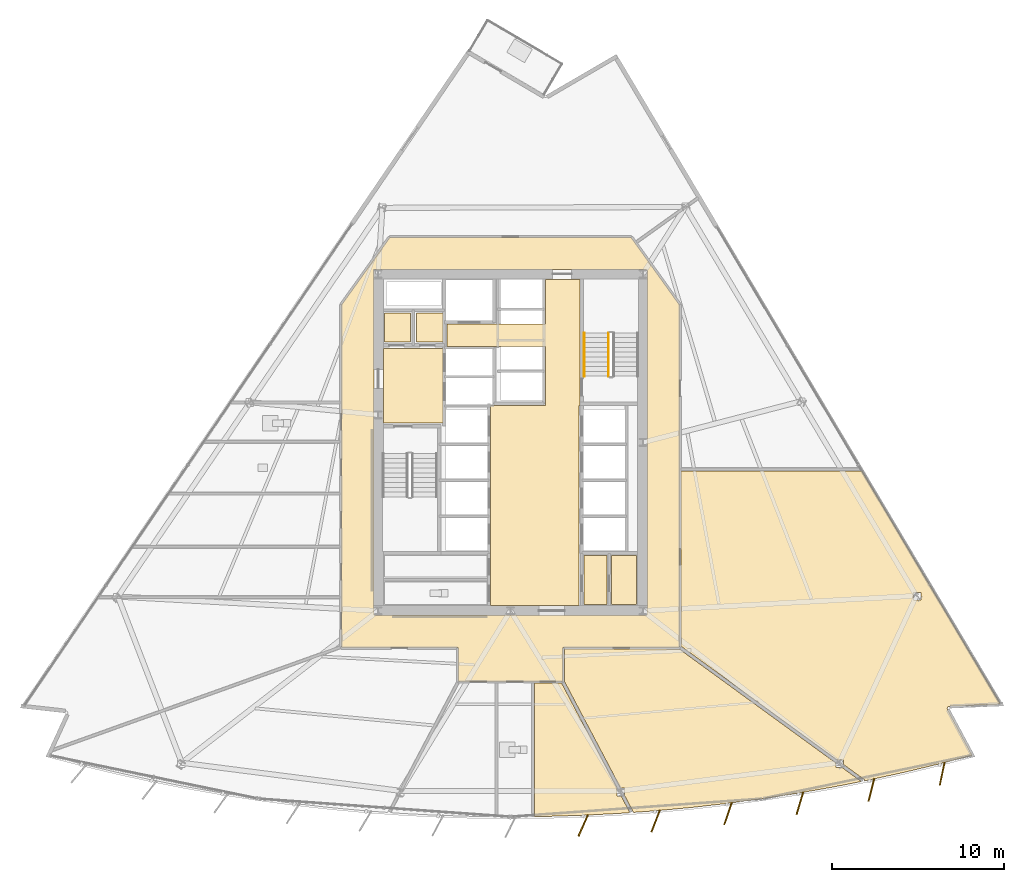
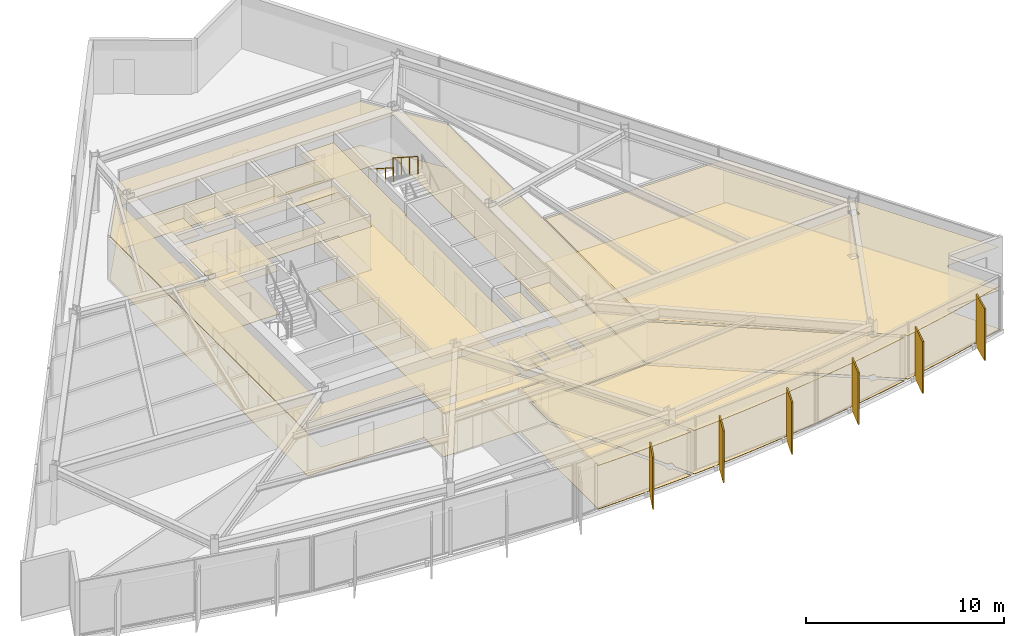
# One storey, part 12 of 15: 20 coverings, 6 shading devices, 2 railings.
"""IFC4 building model written with IfcOpenShell, lengths in metres."""

from ifc_helpers import new_model, si_unit, direction, frame, origin, origin_2d, place, context, subcontext, project, spatial, polyline, rectangle, circle, outline, extrude, material, layer, layer_set, type_object, element, save


model = new_model("IFC4")

# Units and contexts
model_context = context("Model", 3, precision=1e-05, world=origin(), true_north=direction((0.0, 1.0)))
body_context = subcontext(model_context, "Body", "Model", "MODEL_VIEW")
ifc_project = project(units=[si_unit("LENGTHUNIT", "METRE"), si_unit("AREAUNIT", "SQUARE_METRE"), si_unit("VOLUMEUNIT", "CUBIC_METRE"), si_unit("PLANEANGLEUNIT", "RADIAN"), si_unit("MASSUNIT", "GRAM", prefix="KILO")], contexts=[model_context])

# Site, building, storey
site_placement = place(None, origin())
site = spatial("IfcSite", under=ifc_project, at=site_placement, CompositionType="ELEMENT")
building_placement = place(site_placement, origin())
building = spatial("IfcBuilding", under=site, at=building_placement, Name="Savorim Split Tower", CompositionType="ELEMENT")
storey_placement = place(building_placement, frame((0.0, 0.0, 86.10009765625)))
storey = spatial("IfcBuildingStorey", under=building, at=storey_placement, Name="L22", CompositionType="ELEMENT", Elevation=86.10009765625)

# Coverings
ifc_material_1 = material(Name="Mineral Fibre Acoustic Ceiling")
ifc_layer_1 = layer(ifc_material_1, 0.02490234375)
ifc_layer_set_1 = layer_set([ifc_layer_1], Name="COV-CEIL-25")
covering_type_1 = type_object("IfcCoveringType", Name="COV-CEIL-25", PredefinedType="CEILING", material=ifc_layer_set_1)
covering_1_placement = place(storey_placement, frame((0.0, 0.0, 2.669921875)))
element("IfcCovering", 1, at=covering_1_placement, inside=storey, type_object=covering_type_1, Name="L22 Firefighting Lift Lobby Acoustic Ceiling", PredefinedType="CEILING", context=body_context, shape_type="SweptSolid", body=[
    extrude(outline(polyline([(-7.3798828125, 5.8701171875), (-7.3798828125, 1.530029296875), (-3.929931640625, 1.530029296875), (-3.929931640625, 5.8701171875), (-7.3798828125, 5.8701171875)])), origin(), (0.0, 0.0, 1.0), 0.02490234375),
])
covering_2_placement = place(storey_placement, frame((0.0, 0.0, 2.669921875)))
element("IfcCovering", 2, at=covering_2_placement, inside=storey, type_object=covering_type_1, Name="L22 Electrical Riser Acoustic Ceiling", PredefinedType="CEILING", context=body_context, shape_type="SweptSolid", body=[
    extrude(outline(polyline([(-7.320068359375, 7.919921875), (-7.320068359375, 6.22998046875), (-5.830078125, 6.22998046875), (-5.830078125, 7.919921875), (-7.320068359375, 7.919921875)])), origin(), (0.0, 0.0, 1.0), 0.02490234375),
])
covering_3_placement = place(storey_placement, frame((0.0, 0.0, 2.669921875)))
element("IfcCovering", 3, at=covering_3_placement, inside=storey, type_object=covering_type_1, Name="L22 Telecom Riser Acoustic Ceiling", PredefinedType="CEILING", context=body_context, shape_type="SweptSolid", body=[
    extrude(outline(polyline([(-5.469970703125, 7.919921875), (-5.469970703125, 6.22998046875), (-3.929931640625, 6.22998046875), (-3.929931640625, 7.919921875), (-5.469970703125, 7.919921875)])), origin(), (0.0, 0.0, 1.0), 0.02490234375),
])
covering_4_placement = place(storey_placement, frame((0.0, 0.0, 2.669921875)))
element("IfcCovering", 4, at=covering_4_placement, inside=storey, type_object=covering_type_1, Name="L22 Lift Lobby Acoustic Ceiling", PredefinedType="CEILING", context=body_context, shape_type="SweptSolid", body=[
    extrude(outline(polyline([(2.050048828125, 2.550048828125), (-1.14990234375, 2.550048828125), (-1.14990234375, -9.10009765625), (4.0, -9.10009765625), (4.0, 2.550048828125), (4.050048828125, 2.550048828125), (4.050048828125, 5.97998046875), (4.050048828125, 7.300048828125), (4.050048828125, 9.8798828125), (2.050048828125, 9.8798828125), (2.050048828125, 7.300048828125), (-3.699951171875, 7.300048828125), (-3.699951171875, 5.97998046875), (2.050048828125, 5.97998046875), (2.050048828125, 2.550048828125)])), origin(), (0.0, 0.0, 1.0), 0.02490234375),
])
covering_5_placement = place(storey_placement, frame((0.0, 0.0, 2.669921875)))
element("IfcCovering", 5, at=covering_5_placement, inside=storey, type_object=covering_type_1, Name="L22 Vending Pantry Acoustic Ceiling", PredefinedType="CEILING", context=body_context, shape_type="SweptSolid", body=[
    extrude(outline(polyline([(4.280029296875, -6.179931640625), (4.280029296875, -9.02001953125), (5.6201171875, -9.02001953125), (5.6201171875, -6.179931640625), (4.280029296875, -6.179931640625)])), origin(), (0.0, 0.0, 1.0), 0.02490234375),
])
covering_6_placement = place(storey_placement, frame((0.0, 0.0, 2.669921875)))
element("IfcCovering", 6, at=covering_6_placement, inside=storey, type_object=covering_type_1, Name="L22 Recycling Chute Room Acoustic Ceiling", PredefinedType="CEILING", context=body_context, shape_type="SweptSolid", body=[
    extrude(outline(polyline([(5.8798828125, -6.179931640625), (5.8798828125, -9.02001953125), (7.320068359375, -9.02001953125), (7.320068359375, -6.179931640625), (5.8798828125, -6.179931640625)])), origin(), (0.0, 0.0, 1.0), 0.02490234375),
])
covering_7_placement = place(storey_placement, frame((0.0, 0.0, 2.669921875)))
element("IfcCovering", 7, at=covering_7_placement, inside=storey, type_object=covering_type_1, Name="L22 Corridor Acoustic Ceiling", PredefinedType="CEILING", context=body_context, shape_type="SweptSolid", body=[
    extrude(outline(polyline([(7.009521484375, 12.3291015625), (7.004638671875, 12.329833984375), (7.0, 12.330078125), (-7.0, 12.330078125), (-7.004638671875, 12.329833984375), (-7.009521484375, 12.3291015625), (-7.013916015625, 12.327880859375), (-7.0185546875, 12.326416015625), (-7.022705078125, 12.324462890625), (-7.027099609375, 12.322021484375), (-7.03076171875, 12.3193359375), (-7.034423828125, 12.31640625), (-7.03759765625, 12.312744140625), (-7.04052734375, 12.30908203125), (-9.820556640625, 8.42919921875), (-9.823486328125, 8.4248046875), (-9.82568359375, 8.420166015625), (-9.82763671875, 8.415283203125), (-9.828857421875, 8.410400390625), (-9.82958984375, 8.4052734375), (-9.830078125, 8.39990234375), (-9.830078125, -11.47998046875), (-9.829833984375, -11.48486328125), (-9.8291015625, -11.48974609375), (-9.827880859375, -11.494384765625), (-9.826171875, -11.4990234375), (-9.82421875, -11.503662109375), (-9.821533203125, -11.5078125), (-9.818603515625, -11.51171875), (-9.8154296875, -11.515380859375), (-9.811767578125, -11.518798828125), (-9.807861328125, -11.521484375), (-9.8037109375, -11.524169921875), (-9.799072265625, -11.526123046875), (-9.79443359375, -11.52783203125), (-9.789794921875, -11.529052734375), (-9.784912109375, -11.52978515625), (-9.780029296875, -11.530029296875), (-3.050048828125, -11.530029296875), (-3.050048828125, -13.449951171875), (-3.0498046875, -13.454833984375), (-3.049072265625, -13.459716796875), (-3.0478515625, -13.464599609375), (-3.046142578125, -13.468994140625), (-3.044189453125, -13.4736328125), (-3.04150390625, -13.477783203125), (-3.038818359375, -13.481689453125), (-3.035400390625, -13.4853515625), (-3.03173828125, -13.48876953125), (-3.02783203125, -13.49169921875), (-3.023681640625, -13.494140625), (-3.01904296875, -13.49609375), (-3.014404296875, -13.497802734375), (-3.009765625, -13.4990234375), (-3.0048828125, -13.499755859375), (-3.0, -13.5), (3.0, -13.5), (3.0048828125, -13.499755859375), (3.009765625, -13.4990234375), (3.014404296875, -13.497802734375), (3.01904296875, -13.49609375), (3.023681640625, -13.494140625), (3.02783203125, -13.49169921875), (3.03173828125, -13.48876953125), (3.035400390625, -13.4853515625), (3.038818359375, -13.481689453125), (3.04150390625, -13.477783203125), (3.044189453125, -13.4736328125), (3.046142578125, -13.468994140625), (3.0478515625, -13.464599609375), (3.049072265625, -13.459716796875), (3.0498046875, -13.454833984375), (3.050048828125, -13.449951171875), (3.050048828125, -11.530029296875), (9.780029296875, -11.530029296875), (9.784912109375, -11.52978515625), (9.789794921875, -11.529052734375), (9.79443359375, -11.52783203125), (9.799072265625, -11.526123046875), (9.8037109375, -11.524169921875), (9.807861328125, -11.521484375), (9.811767578125, -11.518798828125), (9.8154296875, -11.515380859375), (9.818603515625, -11.51171875), (9.821533203125, -11.5078125), (9.82421875, -11.503662109375), (9.826171875, -11.4990234375), (9.827880859375, -11.494384765625), (9.8291015625, -11.48974609375), (9.829833984375, -11.48486328125), (9.830078125, -11.47998046875), (9.830078125, 8.39990234375), (9.82958984375, 8.4052734375), (9.828857421875, 8.410400390625), (9.82763671875, 8.415283203125), (9.82568359375, 8.420166015625), (9.823486328125, 8.4248046875), (9.820556640625, 8.42919921875), (7.04052734375, 12.30908203125), (7.03759765625, 12.312744140625), (7.034423828125, 12.31640625), (7.03076171875, 12.3193359375), (7.027099609375, 12.322021484375), (7.022705078125, 12.324462890625), (7.0185546875, 12.326416015625), (7.013916015625, 12.327880859375), (7.009521484375, 12.3291015625)]), holes=[polyline([(-7.949951171875, 10.449951171875), (-7.949951171875, -9.64990234375), (7.949951171875, -9.64990234375), (7.949951171875, 10.449951171875), (-7.949951171875, 10.449951171875)])]), origin(), (0.0, 0.0, 1.0), 0.02490234375),
])
covering_8_placement = place(storey_placement, frame((0.0, 0.0, 2.669921875)))
element("IfcCovering", 8, at=covering_8_placement, inside=storey, type_object=covering_type_1, Name="L22 Co-Living Bedroom Acoustic Ceiling", PredefinedType="CEILING", context=body_context, shape_type="SweptSolid", body=[
    extrude(outline(polyline([(1.406494140625, -21.366455078125), (2.101806640625, -21.359375), (4.202880859375, -21.294921875), (6.302001953125, -21.187255859375), (6.949462890625, -21.140869140625), (6.430908203125, -20.15771484375), (6.20654296875, -20.15771484375), (6.20654296875, -19.73193359375), (2.98193359375, -13.61767578125), (2.96728515625, -13.590087890625), (1.406494140625, -13.590087890625), (1.406494140625, -21.366455078125)])), origin(), (0.0, 0.0, 1.0), 0.02490234375),
])
covering_9_placement = place(storey_placement, frame((0.0, 0.0, 2.669921875)))
element("IfcCovering", 9, at=covering_9_placement, inside=storey, type_object=covering_type_1, Name="L22 Co-Working Commons Acoustic Ceiling", PredefinedType="CEILING", context=body_context, shape_type="SweptSolid", body=[
    extrude(outline(polyline([(12.58056640625, -20.607421875), (14.6640625, -20.32861328125), (16.7412109375, -20.00732421875), (18.8115234375, -19.6435546875), (20.41064453125, -19.32861328125), (19.302490234375, -18.522216796875), (18.94384765625, -18.522216796875), (18.94384765625, -18.260986328125), (9.840087890625, -11.634521484375), (9.814208984375, -11.615478515625), (9.807373046875, -11.6171875), (9.793701171875, -11.619384765625), (9.780029296875, -11.6201171875), (3.139892578125, -11.6201171875), (3.139892578125, -13.449951171875), (3.139404296875, -13.463623046875), (3.13720703125, -13.477294921875), (3.134033203125, -13.490478515625), (3.132080078125, -13.49560546875), (6.4111328125, -19.712646484375), (6.635498046875, -19.712646484375), (6.635498046875, -20.13818359375), (7.111572265625, -21.040771484375), (7.15576171875, -21.124755859375), (7.153076171875, -21.126220703125), (8.398681640625, -21.036865234375), (10.49169921875, -20.843505859375), (12.58056640625, -20.607421875)])), origin(), (0.0, 0.0, 1.0), 0.02490234375),
])
covering_10_placement = place(storey_placement, frame((0.0, 0.0, 2.669921875)))
element("IfcCovering", 10, at=covering_10_placement, inside=storey, type_object=covering_type_1, Name="L22 Maker Workshop Acoustic Ceiling", PredefinedType="CEILING", context=body_context, shape_type="SweptSolid", body=[
    extrude(outline(polyline([(25.5009765625, -14.956298828125), (25.51220703125, -14.9541015625), (25.523681640625, -14.952880859375), (28.506591796875, -14.826171875), (20.438720703125, -1.258056640625), (9.919921875, -1.258056640625), (9.919921875, -11.45751953125), (19.01416015625, -18.0771484375), (19.372802734375, -18.0771484375), (19.372802734375, -18.33837890625), (20.53857421875, -19.186767578125), (20.615234375, -19.24267578125), (20.576416015625, -19.296142578125), (20.873779296875, -19.237548828125), (22.927490234375, -18.789306640625), (24.9716796875, -18.29931640625), (26.85888671875, -17.8056640625), (25.423095703125, -15.129638671875), (25.418212890625, -15.119140625), (25.414306640625, -15.1083984375), (25.411376953125, -15.09716796875), (25.409423828125, -15.085693359375), (25.40869140625, -15.07421875), (25.4091796875, -15.062744140625), (25.410888671875, -15.05126953125), (25.413330078125, -15.0400390625), (25.4169921875, -15.029052734375), (25.421875, -15.0185546875), (25.427490234375, -15.008544921875), (25.43408203125, -14.9990234375), (25.441650390625, -14.990478515625), (25.449951171875, -14.982421875), (25.458984375, -14.97509765625), (25.46875, -14.968994140625), (25.47900390625, -14.963623046875), (25.48974609375, -14.95947265625), (25.5009765625, -14.956298828125)]), holes=[polyline([(23.876708984375, -8.783203125), (23.876708984375, -8.338134765625), (23.447509765625, -8.338134765625), (23.447509765625, -8.783203125), (23.876708984375, -8.783203125)])]), origin(), (0.0, 0.0, 1.0), 0.02490234375),
])
ifc_material_2 = material(Name="Porcelain Stoneware Flooring", Category="masonry")
ifc_layer_2 = layer(ifc_material_2, 0.02001953125)
ifc_layer_set_2 = layer_set([ifc_layer_2], Name="COV-FLOR-20")
covering_type_2 = type_object("IfcCoveringType", Name="COV-FLOR-20", PredefinedType="FLOORING", material=ifc_layer_set_2)
covering_11_placement = place(storey_placement, origin())
element("IfcCovering", 11, at=covering_11_placement, inside=storey, type_object=covering_type_2, Name="L22 Firefighting Lift Lobby Porcelain Flooring", PredefinedType="FLOORING", context=body_context, shape_type="SweptSolid", body=[
    extrude(outline(polyline([(-7.3798828125, 5.8701171875), (-7.3798828125, 1.530029296875), (-3.929931640625, 1.530029296875), (-3.929931640625, 5.8701171875), (-7.3798828125, 5.8701171875)])), origin(), (0.0, 0.0, 1.0), 0.02001953125),
])
covering_12_placement = place(storey_placement, origin())
element("IfcCovering", 12, at=covering_12_placement, inside=storey, type_object=covering_type_2, Name="L22 Electrical Riser Porcelain Flooring", PredefinedType="FLOORING", context=body_context, shape_type="SweptSolid", body=[
    extrude(outline(polyline([(-7.320068359375, 7.919921875), (-7.320068359375, 6.22998046875), (-5.830078125, 6.22998046875), (-5.830078125, 7.919921875), (-7.320068359375, 7.919921875)])), origin(), (0.0, 0.0, 1.0), 0.02001953125),
])
covering_13_placement = place(storey_placement, origin())
element("IfcCovering", 13, at=covering_13_placement, inside=storey, type_object=covering_type_2, Name="L22 Telecom Riser Porcelain Flooring", PredefinedType="FLOORING", context=body_context, shape_type="SweptSolid", body=[
    extrude(outline(polyline([(-5.469970703125, 7.919921875), (-5.469970703125, 6.22998046875), (-3.929931640625, 6.22998046875), (-3.929931640625, 7.919921875), (-5.469970703125, 7.919921875)])), origin(), (0.0, 0.0, 1.0), 0.02001953125),
])
covering_14_placement = place(storey_placement, origin())
element("IfcCovering", 14, at=covering_14_placement, inside=storey, type_object=covering_type_2, Name="L22 Lift Lobby Porcelain Flooring", PredefinedType="FLOORING", context=body_context, shape_type="SweptSolid", body=[
    extrude(outline(polyline([(2.050048828125, 2.550048828125), (-1.14990234375, 2.550048828125), (-1.14990234375, -9.10009765625), (4.0, -9.10009765625), (4.0, 2.550048828125), (4.050048828125, 2.550048828125), (4.050048828125, 5.97998046875), (4.050048828125, 7.300048828125), (4.050048828125, 9.8798828125), (2.050048828125, 9.8798828125), (2.050048828125, 7.300048828125), (-3.699951171875, 7.300048828125), (-3.699951171875, 5.97998046875), (2.050048828125, 5.97998046875), (2.050048828125, 2.550048828125)])), origin(), (0.0, 0.0, 1.0), 0.02001953125),
])
covering_15_placement = place(storey_placement, origin())
element("IfcCovering", 15, at=covering_15_placement, inside=storey, type_object=covering_type_2, Name="L22 Vending Pantry Porcelain Flooring", PredefinedType="FLOORING", context=body_context, shape_type="SweptSolid", body=[
    extrude(outline(polyline([(4.280029296875, -6.179931640625), (4.280029296875, -9.02001953125), (5.6201171875, -9.02001953125), (5.6201171875, -6.179931640625), (4.280029296875, -6.179931640625)])), origin(), (0.0, 0.0, 1.0), 0.02001953125),
])
covering_16_placement = place(storey_placement, origin())
element("IfcCovering", 16, at=covering_16_placement, inside=storey, type_object=covering_type_2, Name="L22 Recycling Chute Room Porcelain Flooring", PredefinedType="FLOORING", context=body_context, shape_type="SweptSolid", body=[
    extrude(outline(polyline([(5.8798828125, -6.179931640625), (5.8798828125, -9.02001953125), (7.320068359375, -9.02001953125), (7.320068359375, -6.179931640625), (5.8798828125, -6.179931640625)])), origin(), (0.0, 0.0, 1.0), 0.02001953125),
])
covering_17_placement = place(storey_placement, origin())
element("IfcCovering", 17, at=covering_17_placement, inside=storey, type_object=covering_type_2, Name="L22 Corridor Porcelain Flooring", PredefinedType="FLOORING", context=body_context, shape_type="SweptSolid", body=[
    extrude(outline(polyline([(7.009521484375, 12.3291015625), (7.004638671875, 12.329833984375), (7.0, 12.330078125), (-7.0, 12.330078125), (-7.004638671875, 12.329833984375), (-7.009521484375, 12.3291015625), (-7.013916015625, 12.327880859375), (-7.0185546875, 12.326416015625), (-7.022705078125, 12.324462890625), (-7.027099609375, 12.322021484375), (-7.03076171875, 12.3193359375), (-7.034423828125, 12.31640625), (-7.03759765625, 12.312744140625), (-7.04052734375, 12.30908203125), (-9.820556640625, 8.42919921875), (-9.823486328125, 8.4248046875), (-9.82568359375, 8.420166015625), (-9.82763671875, 8.415283203125), (-9.828857421875, 8.410400390625), (-9.82958984375, 8.4052734375), (-9.830078125, 8.39990234375), (-9.830078125, -11.47998046875), (-9.829833984375, -11.48486328125), (-9.8291015625, -11.48974609375), (-9.827880859375, -11.494384765625), (-9.826171875, -11.4990234375), (-9.82421875, -11.503662109375), (-9.821533203125, -11.5078125), (-9.818603515625, -11.51171875), (-9.8154296875, -11.515380859375), (-9.811767578125, -11.518798828125), (-9.807861328125, -11.521484375), (-9.8037109375, -11.524169921875), (-9.799072265625, -11.526123046875), (-9.79443359375, -11.52783203125), (-9.789794921875, -11.529052734375), (-9.784912109375, -11.52978515625), (-9.780029296875, -11.530029296875), (-3.050048828125, -11.530029296875), (-3.050048828125, -13.449951171875), (-3.0498046875, -13.454833984375), (-3.049072265625, -13.459716796875), (-3.0478515625, -13.464599609375), (-3.046142578125, -13.468994140625), (-3.044189453125, -13.4736328125), (-3.04150390625, -13.477783203125), (-3.038818359375, -13.481689453125), (-3.035400390625, -13.4853515625), (-3.03173828125, -13.48876953125), (-3.02783203125, -13.49169921875), (-3.023681640625, -13.494140625), (-3.01904296875, -13.49609375), (-3.014404296875, -13.497802734375), (-3.009765625, -13.4990234375), (-3.0048828125, -13.499755859375), (-3.0, -13.5), (3.0, -13.5), (3.0048828125, -13.499755859375), (3.009765625, -13.4990234375), (3.014404296875, -13.497802734375), (3.01904296875, -13.49609375), (3.023681640625, -13.494140625), (3.02783203125, -13.49169921875), (3.03173828125, -13.48876953125), (3.035400390625, -13.4853515625), (3.038818359375, -13.481689453125), (3.04150390625, -13.477783203125), (3.044189453125, -13.4736328125), (3.046142578125, -13.468994140625), (3.0478515625, -13.464599609375), (3.049072265625, -13.459716796875), (3.0498046875, -13.454833984375), (3.050048828125, -13.449951171875), (3.050048828125, -11.530029296875), (9.780029296875, -11.530029296875), (9.784912109375, -11.52978515625), (9.789794921875, -11.529052734375), (9.79443359375, -11.52783203125), (9.799072265625, -11.526123046875), (9.8037109375, -11.524169921875), (9.807861328125, -11.521484375), (9.811767578125, -11.518798828125), (9.8154296875, -11.515380859375), (9.818603515625, -11.51171875), (9.821533203125, -11.5078125), (9.82421875, -11.503662109375), (9.826171875, -11.4990234375), (9.827880859375, -11.494384765625), (9.8291015625, -11.48974609375), (9.829833984375, -11.48486328125), (9.830078125, -11.47998046875), (9.830078125, 8.39990234375), (9.82958984375, 8.4052734375), (9.828857421875, 8.410400390625), (9.82763671875, 8.415283203125), (9.82568359375, 8.420166015625), (9.823486328125, 8.4248046875), (9.820556640625, 8.42919921875), (7.04052734375, 12.30908203125), (7.03759765625, 12.312744140625), (7.034423828125, 12.31640625), (7.03076171875, 12.3193359375), (7.027099609375, 12.322021484375), (7.022705078125, 12.324462890625), (7.0185546875, 12.326416015625), (7.013916015625, 12.327880859375), (7.009521484375, 12.3291015625)]), holes=[polyline([(-7.949951171875, 10.449951171875), (-7.949951171875, -9.64990234375), (7.949951171875, -9.64990234375), (7.949951171875, 10.449951171875), (-7.949951171875, 10.449951171875)])]), origin(), (0.0, 0.0, 1.0), 0.02001953125),
])
covering_18_placement = place(storey_placement, origin())
element("IfcCovering", 18, at=covering_18_placement, inside=storey, type_object=covering_type_2, Name="L22 Co-Living Bedroom Porcelain Flooring", PredefinedType="FLOORING", context=body_context, shape_type="SweptSolid", body=[
    extrude(outline(polyline([(1.406494140625, -21.366455078125), (2.101806640625, -21.359375), (4.202880859375, -21.294921875), (6.302001953125, -21.187255859375), (6.949462890625, -21.140869140625), (6.430908203125, -20.15771484375), (6.20654296875, -20.15771484375), (6.20654296875, -19.73193359375), (2.98193359375, -13.61767578125), (2.96728515625, -13.590087890625), (1.406494140625, -13.590087890625), (1.406494140625, -21.366455078125)])), origin(), (0.0, 0.0, 1.0), 0.02001953125),
])
covering_19_placement = place(storey_placement, origin())
element("IfcCovering", 19, at=covering_19_placement, inside=storey, type_object=covering_type_2, Name="L22 Co-Working Commons Porcelain Flooring", PredefinedType="FLOORING", context=body_context, shape_type="SweptSolid", body=[
    extrude(outline(polyline([(12.58056640625, -20.607421875), (14.6640625, -20.32861328125), (16.7412109375, -20.00732421875), (18.8115234375, -19.6435546875), (20.41064453125, -19.32861328125), (19.302490234375, -18.522216796875), (18.94384765625, -18.522216796875), (18.94384765625, -18.260986328125), (9.840087890625, -11.634521484375), (9.814208984375, -11.615478515625), (9.807373046875, -11.6171875), (9.793701171875, -11.619384765625), (9.780029296875, -11.6201171875), (3.139892578125, -11.6201171875), (3.139892578125, -13.449951171875), (3.139404296875, -13.463623046875), (3.13720703125, -13.477294921875), (3.134033203125, -13.490478515625), (3.132080078125, -13.49560546875), (6.4111328125, -19.712646484375), (6.635498046875, -19.712646484375), (6.635498046875, -20.13818359375), (7.111572265625, -21.040771484375), (7.15576171875, -21.124755859375), (7.153076171875, -21.126220703125), (8.398681640625, -21.036865234375), (10.49169921875, -20.843505859375), (12.58056640625, -20.607421875)])), origin(), (0.0, 0.0, 1.0), 0.02001953125),
])
covering_20_placement = place(storey_placement, origin())
element("IfcCovering", 20, at=covering_20_placement, inside=storey, type_object=covering_type_2, Name="L22 Maker Workshop Porcelain Flooring", PredefinedType="FLOORING", context=body_context, shape_type="SweptSolid", body=[
    extrude(outline(polyline([(25.5009765625, -14.956298828125), (25.51220703125, -14.9541015625), (25.523681640625, -14.952880859375), (28.506591796875, -14.826171875), (20.438720703125, -1.258056640625), (9.919921875, -1.258056640625), (9.919921875, -11.45751953125), (19.01416015625, -18.0771484375), (19.372802734375, -18.0771484375), (19.372802734375, -18.33837890625), (20.53857421875, -19.186767578125), (20.615234375, -19.24267578125), (20.576416015625, -19.296142578125), (20.873779296875, -19.237548828125), (22.927490234375, -18.789306640625), (24.9716796875, -18.29931640625), (26.85888671875, -17.8056640625), (25.423095703125, -15.129638671875), (25.418212890625, -15.119140625), (25.414306640625, -15.1083984375), (25.411376953125, -15.09716796875), (25.409423828125, -15.085693359375), (25.40869140625, -15.07421875), (25.4091796875, -15.062744140625), (25.410888671875, -15.05126953125), (25.413330078125, -15.0400390625), (25.4169921875, -15.029052734375), (25.421875, -15.0185546875), (25.427490234375, -15.008544921875), (25.43408203125, -14.9990234375), (25.441650390625, -14.990478515625), (25.449951171875, -14.982421875), (25.458984375, -14.97509765625), (25.46875, -14.968994140625), (25.47900390625, -14.963623046875), (25.48974609375, -14.95947265625), (25.5009765625, -14.956298828125)]), holes=[polyline([(23.876708984375, -8.783203125), (23.876708984375, -8.338134765625), (23.447509765625, -8.338134765625), (23.447509765625, -8.783203125), (23.876708984375, -8.783203125)])]), origin(), (0.0, 0.0, 1.0), 0.02001953125),
])

# Railings
ifc_material_3 = material(Name="Galvanised Painted Steel Balustrade", Category="steel")
railing_type_1 = type_object("IfcRailingType", Name="RLG-HR-900", PredefinedType="HANDRAIL", material=ifc_material_3)
railing_1_placement = place(storey_placement, frame((4.300048828125, 6.77001953125, 1.97998046875)))
element("IfcRailing", 21, at=railing_1_placement, inside=storey, type_object=railing_type_1, Name="L22 ST-2 stair handrail 2", PredefinedType="HANDRAIL", context=body_context, shape_type="SweptSolid", body=[
    extrude(circle(Radius=0.02392578125, at=origin_2d()), frame((0.0, 0.0, 0.8759765625), z_axis=(0.0, -0.841199657755, 0.540724639528), x_axis=(1.0, 0.0, 0.0)), (0.0, 0.0, 1.0), 2.995849609375),
    extrude(circle(Radius=0.02099609375, at=origin_2d()), origin(), (0.0, 0.0, 1.0), 0.851806640625),
    extrude(circle(Radius=0.02099609375, at=origin_2d()), frame((0.0, -0.840087890625, 0.5400390625)), (0.0, 0.0, 1.0), 0.851806640625),
    extrude(circle(Radius=0.02099609375, at=origin_2d()), frame((0.0, -1.679931640625, 1.079833984375)), (0.0, 0.0, 1.0), 0.851806640625),
    extrude(circle(Radius=0.02099609375, at=origin_2d()), frame((0.0, -2.52001953125, 1.619873046875)), (0.0, 0.0, 1.0), 0.851806640625),
])
railing_type_2 = type_object("IfcRailingType", Name="RLG-STG-1100", PredefinedType="BALUSTRADE", material=ifc_material_3)
railing_2_placement = place(storey_placement, frame((5.699951171875, 6.77001953125, 1.97998046875)))
element("IfcRailing", 22, at=railing_2_placement, inside=storey, type_object=railing_type_2, Name="L22 ST-2 stair guard 3", PredefinedType="BALUSTRADE", context=body_context, shape_type="SweptSolid", body=[
    extrude(circle(Radius=0.02392578125, at=origin_2d()), frame((0.0, 0.0, 1.076171875), z_axis=(0.0, -0.841199657755, 0.540724639528), x_axis=(1.0, 0.0, 0.0)), (0.0, 0.0, 1.0), 2.995849609375),
    extrude(circle(Radius=0.02099609375, at=origin_2d()), origin(), (0.0, 0.0, 1.0), 1.052001953125),
    extrude(circle(Radius=0.02099609375, at=origin_2d()), frame((0.0, -0.840087890625, 0.5400390625)), (0.0, 0.0, 1.0), 1.052001953125),
    extrude(circle(Radius=0.02099609375, at=origin_2d()), frame((0.0, -1.679931640625, 1.079833984375)), (0.0, 0.0, 1.0), 1.052001953125),
    extrude(circle(Radius=0.02099609375, at=origin_2d()), frame((0.0, -2.52001953125, 1.619873046875)), (0.0, 0.0, 1.0), 1.052001953125),
])

# Shading devices
ifc_material_4 = material(Name="Terracotta Ceramic-Coated Aluminium Fin", Category="masonry")
shading_device_type = type_object("IfcShadingDeviceType", Name="SHD-FIN-1360", PredefinedType="USERDEFINED", material=ifc_material_4)
for number, where, z_axis, x_axis, name in (
    (23, (4.227294921875, -21.890380859375, -0.2001953125), (0.0, 0.0, 1.0), (-0.401230091723, -0.915977299662, 0.0), "L22 Sawtooth Shading Fin 08"),
    (24, (8.447509765625, -21.630859375, -0.2001953125), (0.0, 0.0, 1.0), (-0.363415461732, -0.931627179817, 0.0), "L22 Sawtooth Shading Fin 09"),
    (25, (12.653564453125, -21.198974609375, -0.2001953125), (0.0, 0.0, 1.0), (-0.324993810493, -0.945716143005, 0.0), "L22 Sawtooth Shading Fin 10"),
    (26, (16.83837890625, -20.595458984375, -0.2001953125), (0.0, 0.0, 1.0), (-0.286026212504, -0.958221793616, 0.0), "L22 Sawtooth Shading Fin 11"),
    (27, (20.9951171875, -19.821044921875, -0.2001953125), (0.0, 0.0, 1.0), (-0.246581250663, -0.969122121727, 0.0), "L22 Sawtooth Shading Fin 12"),
    (28, (25.116455078125, -18.87744140625, -0.2001953125), (0.0, 0.0, 1.0), (-0.206721626106, -0.978399800337, 0.0), "L22 Sawtooth Shading Fin 13"),
):
    element("IfcShadingDevice", number, at=place(storey_placement, frame(where, z_axis=z_axis, x_axis=x_axis)), inside=storey, type_object=shading_device_type, Name=name, ObjectType="FIN", PredefinedType="USERDEFINED", context=body_context, shape_type="SweptSolid", body=[
        extrude(rectangle(XDim=1.360107421875, YDim=0.080078125, at=origin_2d()), origin(), (0.0, 0.0, 1.0), 3.199951171875),
    ])

save(model, "model.ifc")
